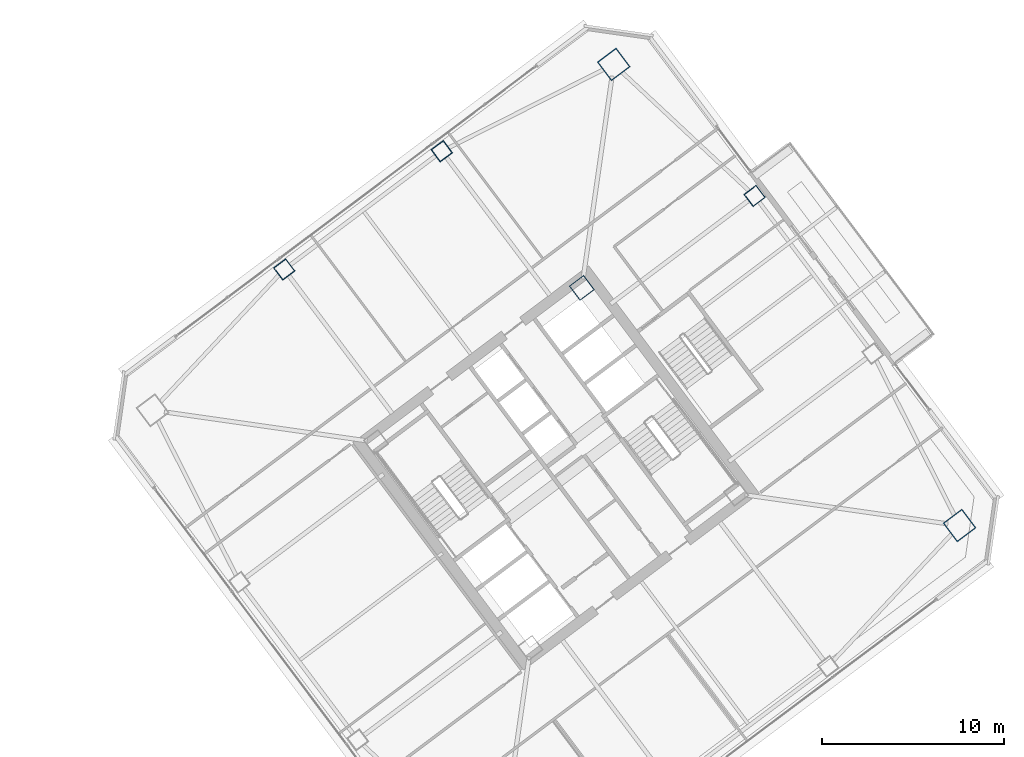
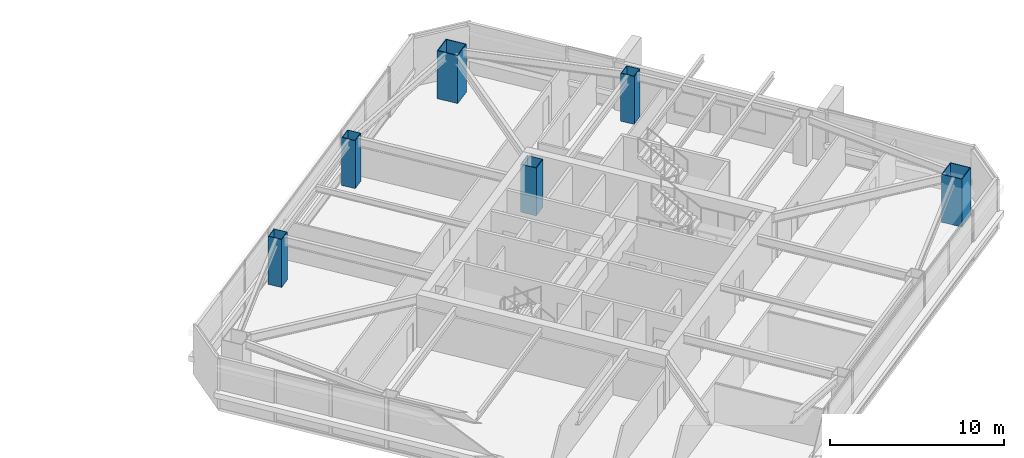
# One storey, part 2 of 44: 6 columns.
"""IFC4 building model written with IfcOpenShell, lengths in metres."""

from ifc_helpers import new_model, si_unit, direction, frame, origin, origin_2d, place, context, subcontext, project, spatial, hollow_rectangle, extrude, material, material_profile, profile_set, type_object, element, save


model = new_model("IFC4")

# Units and contexts
model_context = context("Model", 3, precision=1e-05, world=origin(), true_north=direction((0.0, 1.0)))
body_context = subcontext(model_context, "Body", "Model", "MODEL_VIEW")
ifc_project = project(units=[si_unit("LENGTHUNIT", "METRE"), si_unit("AREAUNIT", "SQUARE_METRE"), si_unit("VOLUMEUNIT", "CUBIC_METRE"), si_unit("PLANEANGLEUNIT", "RADIAN"), si_unit("MASSUNIT", "GRAM", prefix="KILO")], contexts=[model_context])

# Site, building, storey
site_placement = place(None, origin())
site = spatial("IfcSite", under=ifc_project, at=site_placement, CompositionType="ELEMENT")
building_placement = place(site_placement, origin())
building = spatial("IfcBuilding", under=site, at=building_placement, Name="Tashvorn Skyway Center", CompositionType="ELEMENT")
storey_placement = place(building_placement, frame((0.0, 0.0, 149.89990234375)))
storey = spatial("IfcBuildingStorey", under=building, at=storey_placement, Name="L40", CompositionType="ELEMENT", Elevation=149.89990234375)

# Columns
ifc_material = material(Name="Steel ASTM A572 Grade 50", Category="steel")
ifc_material_profile_1 = material_profile(ifc_material, hollow_rectangle(XDim=1.0, YDim=1.0, WallThickness=0.0400390625, at=origin_2d()), Name="BOX1000x1000x40")
ifc_profile_set_1 = profile_set([ifc_material_profile_1], Name="Steel ASTM A572 Grade 50")
column_type_1 = type_object("IfcColumnType", Name="COL-BOX1000x1000x40", PredefinedType="COLUMN", material=ifc_profile_set_1)
column_placement = place(storey_placement, frame((115.409912109375, 41.8701171875, 0.0), z_axis=(0.0, 0.0, 1.0), x_axis=(0.799999996291, 0.600000004945, 0.0)))
element("IfcColumn", 1, at=column_placement, inside=storey, type_object=column_type_1, Name="Tower 2 L40 Core Corner Column CC-NE", PredefinedType="COLUMN", context=body_context, shape_type="SweptSolid", body=[
    extrude(hollow_rectangle(XDim=1.0, YDim=1.0, WallThickness=0.0400390625, at=origin_2d()), origin(), (0.0, 0.0, 1.0), 3.3701171875),
])
ifc_material_profile_2 = material_profile(ifc_material, hollow_rectangle(XDim=1.300048828125, YDim=1.300048828125, WallThickness=0.050048828125, at=origin_2d()), Name="BOX1300x1300x50")
ifc_profile_set_2 = profile_set([ifc_material_profile_2], Name="Steel ASTM A572 Grade 50")
column_type_2 = type_object("IfcColumnType", Name="COL-BOX1300x1300x50", PredefinedType="COLUMN", material=ifc_profile_set_2)
for number, where, z_axis, x_axis, name in (
    (2, (136.1201171875, 28.840087890625, 0.0), (0.0, 0.0, 1.0), (0.799999996291, 0.600000004945, 0.0), "Tower 2 L40 Mega-Column MC-SE"),
    (3, (117.159912109375, 54.1201171875, 0.0), (0.0, 0.0, 1.0), (0.799999996291, 0.600000004945, 0.0), "Tower 2 L40 Mega-Column MC-NE"),
):
    element("IfcColumn", number, at=place(storey_placement, frame(where, z_axis=z_axis, x_axis=x_axis)), inside=storey, type_object=column_type_2, Name=name, PredefinedType="COLUMN", context=body_context, shape_type="SweptSolid", body=[
        extrude(hollow_rectangle(XDim=1.300048828125, YDim=1.300048828125, WallThickness=0.050048828125, at=origin_2d()), origin(), (0.0, 0.0, 1.0), 3.3701171875),
    ])
ifc_material_profile_3 = material_profile(ifc_material, hollow_rectangle(XDim=0.85009765625, YDim=0.85009765625, WallThickness=0.034912109375, at=origin_2d()), Name="BOX850x850x35")
ifc_profile_set_3 = profile_set([ifc_material_profile_3], Name="Steel ASTM A572 Grade 50")
column_type_3 = type_object("IfcColumnType", Name="COL-BOX850x850x35", PredefinedType="COLUMN", material=ifc_profile_set_3)
for number, where, z_axis, x_axis, name in (
    (4, (124.8798828125, 46.909912109375, 0.0), (0.0, 0.0, 1.0), (0.799999996291, 0.600000004945, 0.0), "Tower 2 L40 Perimeter Column FC-E2"),
    (5, (107.72998046875, 49.360107421875, 0.0), (0.0, 0.0, 1.0), (0.799999996291, 0.600000004945, 0.0), "Tower 2 L40 Perimeter Column FC-N1"),
    (6, (99.090087890625, 42.8798828125, 0.0), (0.0, 0.0, 1.0), (0.799999996291, 0.600000004945, 0.0), "Tower 2 L40 Perimeter Column FC-N2"),
):
    element("IfcColumn", number, at=place(storey_placement, frame(where, z_axis=z_axis, x_axis=x_axis)), inside=storey, type_object=column_type_3, Name=name, PredefinedType="COLUMN", context=body_context, shape_type="SweptSolid", body=[
        extrude(hollow_rectangle(XDim=0.85009765625, YDim=0.85009765625, WallThickness=0.034912109375, at=origin_2d()), origin(), (0.0, 0.0, 1.0), 3.3701171875),
    ])

save(model, "model.ifc")
